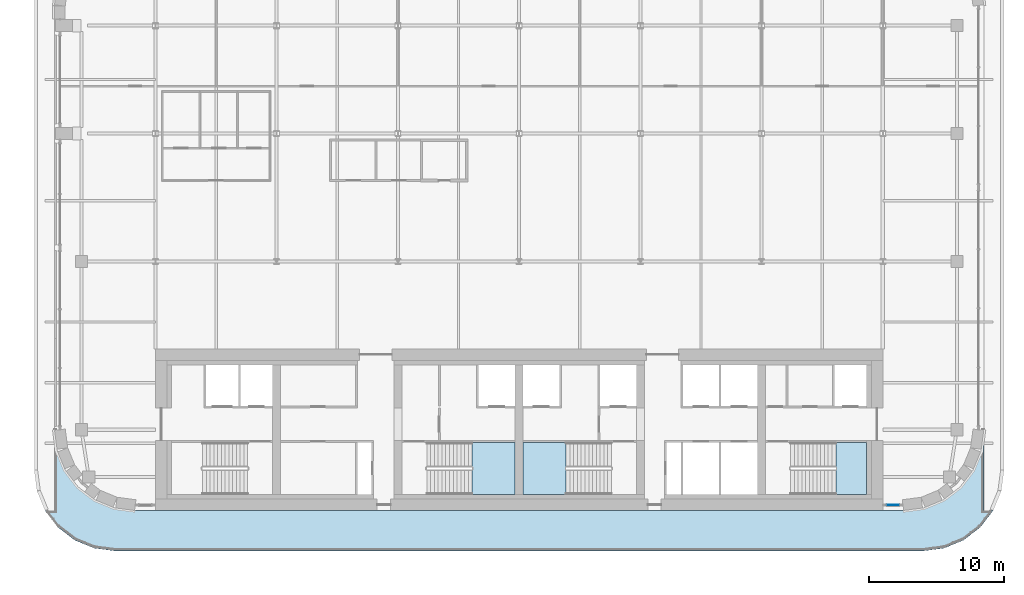
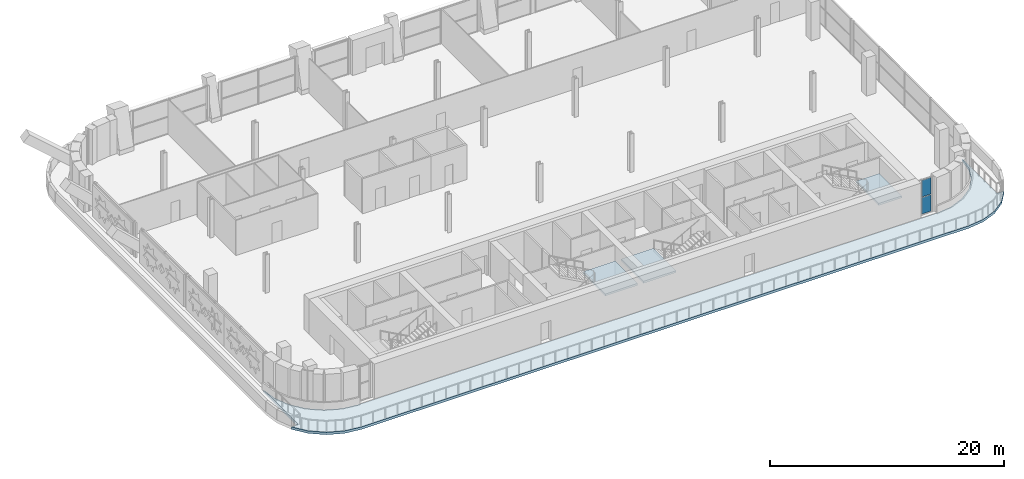
# One storey, part 11 of 23: 4 slabs, 2 plates, 4 elements without a shape of their own.
"""IFC4 building model written with IfcOpenShell, lengths in metres."""

from ifc_helpers import new_model, si_unit, direction, frame, origin, origin_2d, place, context, subcontext, project, spatial, polyline, rectangle, outline, extrude, material, layer, layer_set, type_object, element, aggregate, save


model = new_model("IFC4")

# Units and contexts
model_context = context("Model", 3, precision=1e-05, world=origin(), true_north=direction((0.0, 1.0)))
body_context = subcontext(model_context, "Body", "Model", "MODEL_VIEW")
ifc_project = project(units=[si_unit("LENGTHUNIT", "METRE"), si_unit("AREAUNIT", "SQUARE_METRE"), si_unit("VOLUMEUNIT", "CUBIC_METRE"), si_unit("PLANEANGLEUNIT", "RADIAN"), si_unit("MASSUNIT", "GRAM", prefix="KILO")], contexts=[model_context])

# Site, building, storey
site_placement = place(None, origin())
site = spatial("IfcSite", under=ifc_project, at=site_placement, CompositionType="ELEMENT")
building_placement = place(site_placement, origin())
building = spatial("IfcBuilding", under=site, at=building_placement, Name="Zellij Exchange Tower", CompositionType="ELEMENT")
storey_placement = place(building_placement, frame((0.0, 0.0, 212.5)))
storey = spatial("IfcBuildingStorey", under=building, at=storey_placement, Name="L49", CompositionType="ELEMENT", Elevation=212.5)

# Stair, slab
ifc_material_1 = material(Name="Concrete C40/50", Category="concrete")
stair_type = type_object("IfcStairType", Name="CORE-ST exit stair 1850 wide", PredefinedType="HALF_TURN_STAIR", material=ifc_material_1)
stair_1_placement = place(storey_placement, origin())
stair_1 = element("IfcStair", 1, at=stair_1_placement, inside=storey, type_object=stair_type, Name="L49 exit stair ST2", PredefinedType="HALF_TURN_STAIR")
ifc_layer_1 = layer(ifc_material_1, 0.199951171875)
ifc_layer_set_1 = layer_set([ifc_layer_1], Name="Concrete C40/50")
slab_type_1 = type_object("IfcSlabType", Name="CORE-SL stair landing 200", PredefinedType="LANDING", material=ifc_layer_set_1)
slab_1_placement = place(storey_placement, frame((0.0, 0.0, 1.800048828125)))
slab_1 = element("IfcSlab", 2, at=slab_1_placement, type_object=slab_type_1, Name="ST2 landing 1", PredefinedType="LANDING", context=body_context, shape_type="SweptSolid", body=[
    extrude(outline(polyline([(-3.489990234375, -12.800048828125), (-0.300048828125, -12.800048828125), (-0.300048828125, -8.949951171875), (-3.489990234375, -8.949951171875), (-3.489990234375, -12.800048828125)])), origin(), (0.0, 0.0, 1.0), 0.199951171875),
])
aggregate(stair_1, [slab_1])

stair_2_placement = place(storey_placement, origin())
stair_2 = element("IfcStair", 3, at=stair_2_placement, inside=storey, type_object=stair_type, Name="L49 exit stair ST3", PredefinedType="HALF_TURN_STAIR")
slab_2_placement = place(storey_placement, frame((0.0, 0.0, 1.800048828125)))
slab_2 = element("IfcSlab", 4, at=slab_2_placement, type_object=slab_type_1, Name="ST3 landing 1", PredefinedType="LANDING", context=body_context, shape_type="SweptSolid", body=[
    extrude(outline(polyline([(3.489990234375, -8.949951171875), (0.300048828125, -8.949951171875), (0.300048828125, -12.800048828125), (3.489990234375, -12.800048828125), (3.489990234375, -8.949951171875)])), origin(), (0.0, 0.0, 1.0), 0.199951171875),
])
aggregate(stair_2, [slab_2])

stair_3_placement = place(storey_placement, origin())
stair_3 = element("IfcStair", 5, at=stair_3_placement, inside=storey, type_object=stair_type, Name="L49 exit stair ST4", PredefinedType="HALF_TURN_STAIR")
slab_3_placement = place(storey_placement, frame((0.0, 0.0, 1.800048828125)))
slab_3 = element("IfcSlab", 6, at=slab_3_placement, type_object=slab_type_1, Name="ST4 landing 1", PredefinedType="LANDING", context=body_context, shape_type="SweptSolid", body=[
    extrude(outline(polyline([(23.510009765625, -12.800048828125), (25.800048828125, -12.800048828125), (25.800048828125, -8.949951171875), (23.510009765625, -8.949951171875), (23.510009765625, -12.800048828125)])), origin(), (0.0, 0.0, 1.0), 0.199951171875),
])
aggregate(stair_3, [slab_3])

# Curtain wall, plates
ifc_material_2 = material(Name="Aluminium frame, clear insulating glass", Category="aluminium")
curtain_wall_type = type_object("IfcCurtainWallType", Name="ENV-CW6 Sky-lobby glazing", PredefinedType="NOTDEFINED", material=ifc_material_2)
curtain_wall_placement = place(storey_placement, origin())
curtain_wall = element("IfcCurtainWall", 7, at=curtain_wall_placement, inside=storey, type_object=curtain_wall_type, Name="cw.L49.00b", PredefinedType="NOTDEFINED")
ifc_material_3 = material(Name="Insulating glass unit, clear", Category="glass")
ifc_layer_2 = layer(ifc_material_3, 0.035888671875)
ifc_layer_set_2 = layer_set([ifc_layer_2], Name="Insulating glass unit, clear")
plate_type = type_object("IfcPlateType", Name="ENV-CW6P Glazed panel 36", PredefinedType="CURTAIN_PANEL", material=ifc_layer_set_2)
plate_1_placement = place(storey_placement, frame((27.761962890625, -13.60009765625, 0.06005859375), z_axis=(0.0, 0.0, 1.0), x_axis=(1.0, 0.0, 0.0)))
plate_1 = element("IfcPlate", 8, at=plate_1_placement, type_object=plate_type, Name="CW6 panel 1.1", PredefinedType="CURTAIN_PANEL", context=body_context, shape_type="SweptSolid", body=[
    extrude(rectangle(XDim=0.90380859375, YDim=0.035888671875, at=origin_2d()), origin(), (0.0, 0.0, 1.0), 1.735107421875),
])
plate_2_placement = place(storey_placement, frame((27.761962890625, -13.60009765625, 1.85498046875), z_axis=(0.0, 0.0, 1.0), x_axis=(1.0, 0.0, 0.0)))
plate_2 = element("IfcPlate", 9, at=plate_2_placement, type_object=plate_type, Name="CW6 panel 1.2", PredefinedType="CURTAIN_PANEL", context=body_context, shape_type="SweptSolid", body=[
    extrude(rectangle(XDim=0.90380859375, YDim=0.035888671875, at=origin_2d()), origin(), (0.0, 0.0, 1.0), 1.735107421875),
])
aggregate(curtain_wall, [plate_1, plate_2])

# Slab
ifc_layer_3 = layer(ifc_material_1, 0.300048828125)
ifc_layer_set_3 = layer_set([ifc_layer_3], Name="Concrete C40/50")
slab_type_2 = type_object("IfcSlabType", Name="ENV-TERRACE SLAB 300 C40/50", PredefinedType="FLOOR", material=ifc_layer_set_3)
slab_4_placement = place(storey_placement, frame((0.0, 0.0, -0.300048828125)))
element("IfcSlab", 10, at=slab_4_placement, inside=storey, type_object=slab_type_2, Name="Terrace slab L49", PredefinedType="FLOOR", context=body_context, shape_type="SweptSolid", body=[
    extrude(outline(polyline([(-34.24267578125, -15.24267578125), (-33.0, -16.1962890625), (-31.552978515625, -16.795654296875), (-30.0, -17.0), (30.0, -17.0), (31.552978515625, -16.795654296875), (33.0, -16.1962890625), (34.24267578125, -15.24267578125), (35.1962890625, -14.0), (34.5, -14.0), (34.5, -8.0), (34.295654296875, -9.552978515625), (33.6962890625, -11.0), (32.74267578125, -12.24267578125), (31.5, -13.1962890625), (30.052978515625, -13.795654296875), (28.5, -14.0), (-28.5, -14.0), (-30.052978515625, -13.795654296875), (-31.5, -13.1962890625), (-32.74267578125, -12.24267578125), (-33.6962890625, -11.0), (-34.295654296875, -9.552978515625), (-34.5, -8.0), (-34.5, -14.0), (-35.1962890625, -14.0), (-34.24267578125, -15.24267578125)])), origin(), (0.0, 0.0, 1.0), 0.260009765625),
])

save(model, "model.ifc")
